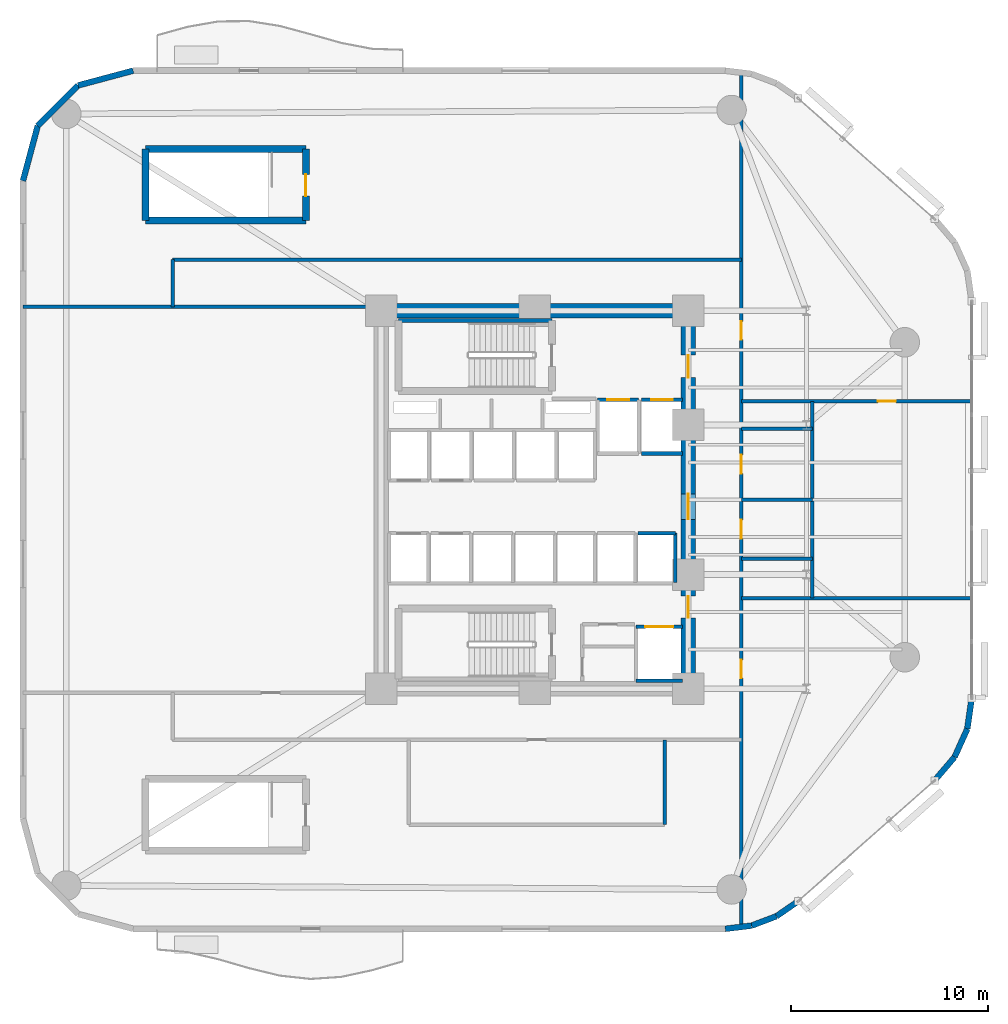
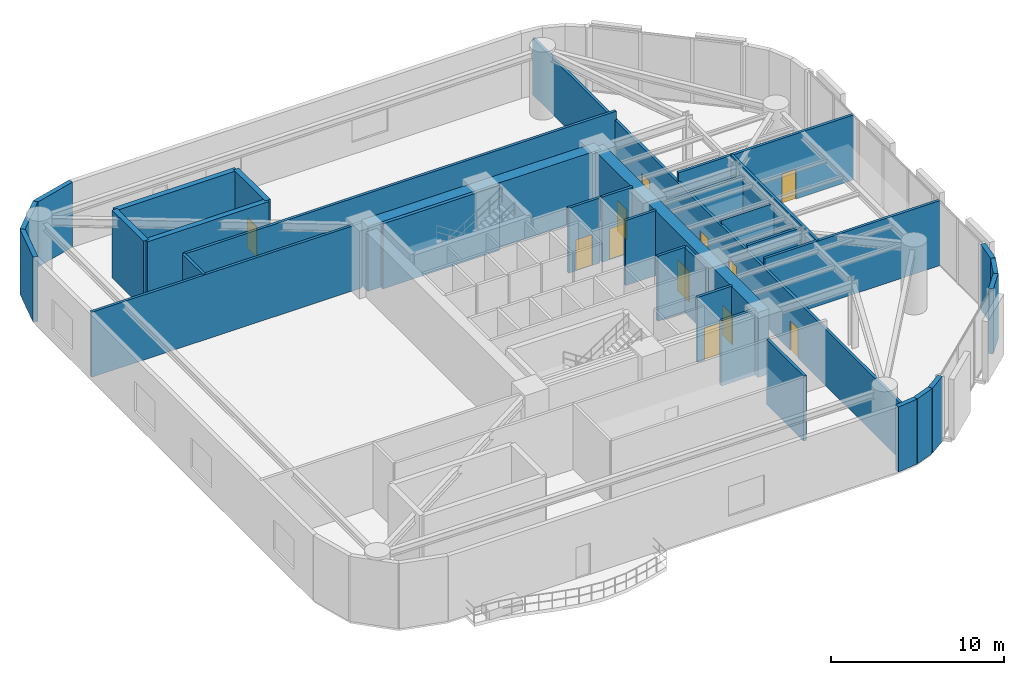
# One storey, part 10 of 13: 34 walls, 12 doors, 12 openings.
"""IFC4 building model written with IfcOpenShell, lengths in metres."""

from ifc_helpers import new_model, si_unit, direction, frame, frame_2d, origin, place, context, subcontext, project, spatial, rectangle, extrude, material, layer, layer_set, type_object, element, fill, save


model = new_model("IFC4")

# Units and contexts
model_context = context("Model", 3, precision=1e-05, world=origin(), true_north=direction((0.0, 1.0)))
body_context = subcontext(model_context, "Body", "Model", "MODEL_VIEW")
ifc_project = project(units=[si_unit("LENGTHUNIT", "METRE"), si_unit("AREAUNIT", "SQUARE_METRE"), si_unit("VOLUMEUNIT", "CUBIC_METRE"), si_unit("PLANEANGLEUNIT", "RADIAN"), si_unit("MASSUNIT", "GRAM", prefix="KILO")], contexts=[model_context])

# Site, building, storey
site_placement = place(None, origin())
site = spatial("IfcSite", under=ifc_project, at=site_placement, CompositionType="ELEMENT")
building_placement = place(site_placement, origin())
building = spatial("IfcBuilding", under=site, at=building_placement, Name="An Khanh Terracotta Commons", CompositionType="ELEMENT")
storey_placement = place(building_placement, frame((0.0, 0.0, 24.0)))
storey = spatial("IfcBuildingStorey", under=building, at=storey_placement, Name="L06", CompositionType="ELEMENT", Elevation=24.0)

# Wall
ifc_material_1 = material(Name="Concrete C70/85", Category="concrete")
ifc_layer_1 = layer(ifc_material_1, 0.75, Name="Concrete C70/85")
ifc_layer_set_1 = layer_set([ifc_layer_1], Name="Concrete C70/85")
wall_type_1 = type_object("IfcWallType", Name="WALL-CORE-750", PredefinedType="SHEAR", material=ifc_layer_set_1)
wall_1_placement = place(storey_placement, frame((21.60009765625, 33.60009765625, 0.0), z_axis=(0.0, 0.0, 1.0), x_axis=(1.0, 0.0, 0.0)))
element("IfcWall", 1, at=wall_1_placement, inside=storey, type_object=wall_type_1, Name="L06 Core Wall CWALL-L06-N", PredefinedType="SHEAR", context=body_context, shape_type="SweptSolid", body=[
    extrude(rectangle(XDim=15.599853515625, YDim=0.75, at=frame_2d((7.7998046875, 0.0))), origin(), (0.0, 0.0, 1.0), 4.60009765625),
])

# Wall, openings, doors
wall_2_placement = place(storey_placement, frame((37.199951171875, 14.39990234375, 0.0), z_axis=(0.0, 0.0, 1.0), x_axis=(0.0, 1.0, 0.0)))
wall_2 = element("IfcWall", 2, at=wall_2_placement, inside=storey, type_object=wall_type_1, Name="L06 Core Wall CWALL-L06-E", PredefinedType="SHEAR", context=body_context, shape_type="SweptSolid", body=[
    extrude(rectangle(XDim=19.2001953125, YDim=0.75, at=frame_2d((9.60009765625, 0.0))), origin(), (0.0, 0.0, 1.0), 4.60009765625),
])
opening_1_placement = place(wall_2_placement, frame((15.800048828125, 0.0, 0.0)))
opening_1 = element("IfcOpeningElement", 3, at=opening_1_placement, cuts=wall_2, Name="Opening D-FFL", PredefinedType="OPENING", context=body_context, shape_type="SweptSolid", body=[
    extrude(rectangle(XDim=1.14990234375, YDim=2.14990234375, at=frame_2d((0.574951171875, 1.074951171875))), frame((0.0, 0.385009765625, 0.0), z_axis=(0.0, -1.0, 0.0), x_axis=(1.0, 0.0, 0.0)), (0.0, 0.0, 1.0), 0.77001953125),
])
opening_2_placement = place(wall_2_placement, frame((3.60009765625, 0.0, 0.0)))
opening_2 = element("IfcOpeningElement", 4, at=opening_2_placement, cuts=wall_2, Name="Opening D-ST", PredefinedType="OPENING", context=body_context, shape_type="SweptSolid", body=[
    extrude(rectangle(XDim=1.10009765625, YDim=2.14990234375, at=frame_2d((0.550048828125, 1.074951171875))), frame((0.0, 0.385009765625, 0.0), z_axis=(0.0, -1.0, 0.0), x_axis=(1.0, 0.0, 0.0)), (0.0, 0.0, 1.0), 0.77001953125),
])
opening_3_placement = place(wall_2_placement, frame((8.60009765625, 0.0, 0.0)))
opening_3 = element("IfcOpeningElement", 5, at=opening_3_placement, cuts=wall_2, Name="Opening D-COR", PredefinedType="OPENING", context=body_context, shape_type="SweptSolid", body=[
    extrude(rectangle(XDim=1.300048828125, YDim=2.199951171875, at=frame_2d((0.64990234375, 1.10009765625))), frame((0.0, 0.385009765625, 0.0), z_axis=(0.0, -1.0, 0.0), x_axis=(1.0, 0.0, 0.0)), (0.0, 0.0, 1.0), 0.77001953125),
])
ifc_material_2 = material(Name="Fire-Rated Glazed Steel Double Door", Category="steel")
door_type_1 = type_object("IfcDoorType", Name="DOOR-CORR-1300", OperationType="NOTDEFINED", PredefinedType="DOOR", material=ifc_material_2)
door_1_placement = place(opening_3_placement, origin())
door_1 = element("IfcDoor", 6, at=door_1_placement, inside=storey, type_object=door_type_1, Name="L06 Passenger Lift Lobby Double Door", OperationType="DOUBLE_DOOR_SINGLE_SWING", OverallHeight=2.199951171875, OverallWidth=1.300048828125, PredefinedType="DOOR", context=body_context, shape_type="SweptSolid", body=[
    extrude(rectangle(XDim=1.300048828125, YDim=2.199951171875, at=frame_2d((0.64990234375, 1.10009765625))), frame((0.0, 0.02490234375, 0.0), z_axis=(0.0, -1.0, 0.0), x_axis=(1.0, 0.0, 0.0)), (0.0, 0.0, 1.0), 0.050048828125),
])
fill(opening_3, door_1)
ifc_material_3 = material(Name="Fire-Rated Steel Leaf and Vision Panel", Category="steel")
door_type_2 = type_object("IfcDoorType", Name="DOOR-FFL-1150", OperationType="NOTDEFINED", PredefinedType="DOOR", material=ifc_material_3)
door_2_placement = place(opening_1_placement, origin())
door_2 = element("IfcDoor", 7, at=door_2_placement, inside=storey, type_object=door_type_2, Name="L06 Firefighting Lift Lobby Fire Door", OperationType="SINGLE_SWING_LEFT", OverallHeight=2.14990234375, OverallWidth=1.14990234375, PredefinedType="DOOR", context=body_context, shape_type="SweptSolid", body=[
    extrude(rectangle(XDim=1.14990234375, YDim=2.14990234375, at=frame_2d((0.574951171875, 1.074951171875))), frame((0.0, 0.02490234375, 0.0), z_axis=(0.0, -1.0, 0.0), x_axis=(1.0, 0.0, 0.0)), (0.0, 0.0, 1.0), 0.050048828125),
])
fill(opening_1, door_2)
ifc_material_4 = material(Name="Fire-Rated Steel Leaf and Frame", Category="steel")
door_type_3 = type_object("IfcDoorType", Name="DOOR-STAIR-1100", OperationType="NOTDEFINED", PredefinedType="DOOR", material=ifc_material_4)
door_3_placement = place(opening_2_placement, origin())
door_3 = element("IfcDoor", 8, at=door_3_placement, inside=storey, type_object=door_type_3, Name="L06 South Stair Lobby Fire Door", OperationType="SINGLE_SWING_RIGHT", OverallHeight=2.14990234375, OverallWidth=1.10009765625, PredefinedType="DOOR", context=body_context, shape_type="SweptSolid", body=[
    extrude(rectangle(XDim=1.10009765625, YDim=2.14990234375, at=frame_2d((0.550048828125, 1.074951171875))), frame((0.0, 0.02490234375, 0.0), z_axis=(0.0, -1.0, 0.0), x_axis=(1.0, 0.0, 0.0)), (0.0, 0.0, 1.0), 0.050048828125),
])
fill(opening_2, door_3)

# Wall, opening, door
ifc_material_5 = material(Name="Fire-Rated Gypsum Board on Steel Stud", Category="steel")
ifc_layer_2 = layer(ifc_material_5, 0.179931640625, Name="Fire-Rated Gypsum Board on Steel Stud")
ifc_layer_set_2 = layer_set([ifc_layer_2], Name="Fire-Rated Gypsum Board on Steel Stud")
wall_type_2 = type_object("IfcWallType", Name="WALL-CORR-180", PredefinedType="PARTITIONING", material=ifc_layer_set_2)
wall_3_placement = place(storey_placement, frame((32.60009765625, 29.080078125, 0.0), z_axis=(0.0, 0.0, 1.0), x_axis=(1.0, 0.0, 0.0)))
wall_3 = element("IfcWall", 9, at=wall_3_placement, inside=storey, type_object=wall_type_2, Name="L06 Core Wall LSH-L06-FFL-01-N", PredefinedType="PARTITIONING", context=body_context, shape_type="SweptSolid", body=[
    extrude(rectangle(XDim=2.079833984375, YDim=0.179931640625, at=frame_2d((1.0400390625, 0.0))), origin(), (0.0, 0.0, 1.0), 4.60009765625),
])
opening_4_placement = place(wall_3_placement, frame((0.489990234375, 0.0, 0.0)))
opening_4 = element("IfcOpeningElement", 10, at=opening_4_placement, cuts=wall_3, Name="Opening LD-FFL-01-L06", PredefinedType="OPENING", context=body_context, shape_type="SweptSolid", body=[
    extrude(rectangle(XDim=1.10009765625, YDim=2.199951171875, at=frame_2d((0.550048828125, 1.10009765625))), frame((0.0, 0.099853515625, 0.0), z_axis=(0.0, -1.0, 0.0), x_axis=(1.0, 0.0, 0.0)), (0.0, 0.0, 1.0), 0.199951171875),
])
ifc_material_6 = material(Name="Brushed Stainless Steel Fire Landing Door", Category="steel")
door_type_4 = type_object("IfcDoorType", Name="DOOR-LD-FFL-1100", OperationType="NOTDEFINED", PredefinedType="DOOR", material=ifc_material_6)
door_4_placement = place(opening_4_placement, origin())
door_4 = element("IfcDoor", 11, at=door_4_placement, inside=storey, type_object=door_type_4, Name="L06 Lift FFL-01 Sliding Landing Door", OperationType="DOUBLE_DOOR_SLIDING", OverallHeight=2.199951171875, OverallWidth=1.10009765625, PredefinedType="DOOR", context=body_context, shape_type="SweptSolid", body=[
    extrude(rectangle(XDim=1.10009765625, YDim=2.199951171875, at=frame_2d((0.550048828125, 1.10009765625))), frame((0.0, 0.02490234375, 0.0), z_axis=(0.0, -1.0, 0.0), x_axis=(1.0, 0.0, 0.0)), (0.0, 0.0, 1.0), 0.050048828125),
])
fill(opening_4, door_4)

wall_4_placement = place(storey_placement, frame((34.820068359375, 29.080078125, 0.0), z_axis=(0.0, 0.0, 1.0), x_axis=(1.0, 0.0, 0.0)))
wall_4 = element("IfcWall", 12, at=wall_4_placement, inside=storey, type_object=wall_type_2, Name="L06 Core Wall LSH-L06-FFL-02-N", PredefinedType="PARTITIONING", context=body_context, shape_type="SweptSolid", body=[
    extrude(rectangle(XDim=2.079833984375, YDim=0.179931640625, at=frame_2d((1.0400390625, 0.0))), origin(), (0.0, 0.0, 1.0), 4.60009765625),
])
opening_5_placement = place(wall_4_placement, frame((0.489990234375, 0.0, 0.0)))
opening_5 = element("IfcOpeningElement", 13, at=opening_5_placement, cuts=wall_4, Name="Opening LD-FFL-02-L06", PredefinedType="OPENING", context=body_context, shape_type="SweptSolid", body=[
    extrude(rectangle(XDim=1.10009765625, YDim=2.199951171875, at=frame_2d((0.550048828125, 1.10009765625))), frame((0.0, 0.099853515625, 0.0), z_axis=(0.0, -1.0, 0.0), x_axis=(1.0, 0.0, 0.0)), (0.0, 0.0, 1.0), 0.199951171875),
])
door_5_placement = place(opening_5_placement, origin())
door_5 = element("IfcDoor", 14, at=door_5_placement, inside=storey, type_object=door_type_4, Name="L06 Lift FFL-02 Sliding Landing Door", OperationType="DOUBLE_DOOR_SLIDING", OverallHeight=2.199951171875, OverallWidth=1.10009765625, PredefinedType="DOOR", context=body_context, shape_type="SweptSolid", body=[
    extrude(rectangle(XDim=1.10009765625, YDim=2.199951171875, at=frame_2d((0.550048828125, 1.10009765625))), frame((0.0, 0.02490234375, 0.0), z_axis=(0.0, -1.0, 0.0), x_axis=(1.0, 0.0, 0.0)), (0.0, 0.0, 1.0), 0.050048828125),
])
fill(opening_5, door_5)

# Wall
wall_5_placement = place(storey_placement, frame((36.89990234375, 26.35009765625, 0.0), z_axis=(0.0, 0.0, 1.0), x_axis=(-1.0, 0.0, 0.0)))
element("IfcWall", 15, at=wall_5_placement, inside=storey, type_object=wall_type_2, Name="L06 Core Wall LSH-L06-FFL-02-S", PredefinedType="PARTITIONING", context=body_context, shape_type="SweptSolid", body=[
    extrude(rectangle(XDim=2.079833984375, YDim=0.179931640625, at=frame_2d((1.0400390625, 0.0))), origin(), (0.0, 0.0, 1.0), 4.60009765625),
])

# Wall, opening, door
wall_6_placement = place(storey_placement, frame((34.550048828125, 17.550048828125, 0.0), z_axis=(0.0, 0.0, 1.0), x_axis=(1.0, 0.0, 0.0)))
wall_6 = element("IfcWall", 16, at=wall_6_placement, inside=storey, type_object=wall_type_2, Name="L06 Core Wall LSH-L06-SVL-01-N", PredefinedType="PARTITIONING", context=body_context, shape_type="SweptSolid", body=[
    extrude(rectangle(XDim=2.349853515625, YDim=0.179931640625, at=frame_2d((1.1748046875, 0.0))), origin(), (0.0, 0.0, 1.0), 4.60009765625),
])
opening_6_placement = place(wall_6_placement, frame((0.47509765625, 0.0, 0.0)))
opening_6 = element("IfcOpeningElement", 17, at=opening_6_placement, cuts=wall_6, Name="Opening LD-SVL-01-L06", PredefinedType="OPENING", context=body_context, shape_type="SweptSolid", body=[
    extrude(rectangle(XDim=1.39990234375, YDim=2.300048828125, at=frame_2d((0.699951171875, 1.14990234375))), frame((0.0, 0.099853515625, 0.0), z_axis=(0.0, -1.0, 0.0), x_axis=(1.0, 0.0, 0.0)), (0.0, 0.0, 1.0), 0.199951171875),
])
ifc_material_7 = material(Name="Heavy-Duty Stainless Steel Goods Landing Door", Category="steel")
door_type_5 = type_object("IfcDoorType", Name="DOOR-LD-SVL-1400", OperationType="NOTDEFINED", PredefinedType="DOOR", material=ifc_material_7)
door_6_placement = place(opening_6_placement, origin())
door_6 = element("IfcDoor", 18, at=door_6_placement, inside=storey, type_object=door_type_5, Name="L06 Lift SVL-01 Sliding Landing Door", OperationType="DOUBLE_DOOR_SLIDING", OverallHeight=2.300048828125, OverallWidth=1.39990234375, PredefinedType="DOOR", context=body_context, shape_type="SweptSolid", body=[
    extrude(rectangle(XDim=1.39990234375, YDim=2.300048828125, at=frame_2d((0.699951171875, 1.14990234375))), frame((0.0, 0.02490234375, 0.0), z_axis=(0.0, -1.0, 0.0), x_axis=(1.0, 0.0, 0.0)), (0.0, 0.0, 1.0), 0.050048828125),
])
fill(opening_6, door_6)

# Walls
wall_7_placement = place(storey_placement, frame((36.89990234375, 14.800048828125, 0.0), z_axis=(0.0, 0.0, 1.0), x_axis=(-1.0, 0.0, 0.0)))
element("IfcWall", 19, at=wall_7_placement, inside=storey, type_object=wall_type_2, Name="L06 Core Wall LSH-L06-SVL-01-S", PredefinedType="PARTITIONING", context=body_context, shape_type="SweptSolid", body=[
    extrude(rectangle(XDim=2.349853515625, YDim=0.179931640625, at=frame_2d((1.1748046875, 0.0))), origin(), (0.0, 0.0, 1.0), 4.60009765625),
])
wall_8_placement = place(storey_placement, frame((34.639892578125, 22.300048828125, 0.0), z_axis=(0.0, 0.0, 1.0), x_axis=(1.0, 0.0, 0.0)))
element("IfcWall", 20, at=wall_8_placement, inside=storey, type_object=wall_type_2, Name="L06 Core Wall LSH-L06-PL-H4-N", PredefinedType="PARTITIONING", context=body_context, shape_type="SweptSolid", body=[
    extrude(rectangle(XDim=1.900146484375, YDim=0.179931640625, at=frame_2d((0.9501953125, 0.0))), origin(), (0.0, 0.0, 1.0), 4.60009765625),
])
wall_9_placement = place(storey_placement, frame((36.5400390625, 19.800048828125, 0.0), z_axis=(0.0, 0.0, 1.0), x_axis=(0.0, 1.0, 0.0)))
element("IfcWall", 21, at=wall_9_placement, inside=storey, type_object=wall_type_2, Name="L06 Core Wall LSH-L06-PL-H4-E", PredefinedType="PARTITIONING", context=body_context, shape_type="SweptSolid", body=[
    extrude(rectangle(XDim=2.5, YDim=0.179931640625, at=frame_2d((1.25, 0.0))), origin(), (0.0, 0.0, 1.0), 4.60009765625),
])
wall_10_placement = place(storey_placement, frame((39.89990234375, 19.0, 0.0), z_axis=(0.0, 0.0, 1.0), x_axis=(1.0, 0.0, 0.0)))
element("IfcWall", 22, at=wall_10_placement, inside=storey, type_object=wall_type_2, Name="L06 Interior Partition IW-L06-E004", PredefinedType="PARTITIONING", context=body_context, shape_type="SweptSolid", body=[
    extrude(rectangle(XDim=11.7001953125, YDim=0.179931640625, at=frame_2d((5.85009765625, 0.0))), origin(), (0.0, 0.0, 1.0), 4.60009765625),
])
wall_11_placement = place(storey_placement, frame((39.89990234375, 21.0, 0.0), z_axis=(0.0, 0.0, 1.0), x_axis=(1.0, 0.0, 0.0)))
element("IfcWall", 23, at=wall_11_placement, inside=storey, type_object=wall_type_2, Name="L06 Interior Partition IW-L06-E005", PredefinedType="PARTITIONING", context=body_context, shape_type="SweptSolid", body=[
    extrude(rectangle(XDim=3.60009765625, YDim=0.179931640625, at=frame_2d((1.800048828125, 0.0))), origin(), (0.0, 0.0, 1.0), 4.31201171875),
])
wall_12_placement = place(storey_placement, frame((39.89990234375, 24.0, 0.0), z_axis=(0.0, 0.0, 1.0), x_axis=(1.0, 0.0, 0.0)))
element("IfcWall", 24, at=wall_12_placement, inside=storey, type_object=wall_type_2, Name="L06 Interior Partition IW-L06-E006", PredefinedType="PARTITIONING", context=body_context, shape_type="SweptSolid", body=[
    extrude(rectangle(XDim=3.60009765625, YDim=0.179931640625, at=frame_2d((1.800048828125, 0.0))), origin(), (0.0, 0.0, 1.0), 4.251953125),
])
wall_13_placement = place(storey_placement, frame((39.89990234375, 27.60009765625, 0.0), z_axis=(0.0, 0.0, 1.0), x_axis=(1.0, 0.0, 0.0)))
element("IfcWall", 25, at=wall_13_placement, inside=storey, type_object=wall_type_2, Name="L06 Interior Partition IW-L06-E007", PredefinedType="PARTITIONING", context=body_context, shape_type="SweptSolid", body=[
    extrude(rectangle(XDim=3.60009765625, YDim=0.179931640625, at=frame_2d((1.800048828125, 0.0))), origin(), (0.0, 0.0, 1.0), 3.98193359375),
])

# Wall, opening, door
wall_14_placement = place(storey_placement, frame((39.89990234375, 29.0, 0.0), z_axis=(0.0, 0.0, 1.0), x_axis=(1.0, 0.0, 0.0)))
wall_14 = element("IfcWall", 26, at=wall_14_placement, inside=storey, type_object=wall_type_2, Name="L06 Interior Partition IW-L06-E008", PredefinedType="PARTITIONING", context=body_context, shape_type="SweptSolid", body=[
    extrude(rectangle(XDim=11.7001953125, YDim=0.179931640625, at=frame_2d((5.85009765625, 0.0))), origin(), (0.0, 0.0, 1.0), 4.60009765625),
])
opening_7_placement = place(wall_14_placement, frame((6.929931640625, 0.0, 0.0)))
opening_7 = element("IfcOpeningElement", 27, at=opening_7_placement, cuts=wall_14, Name="Opening D-RM", PredefinedType="OPENING", context=body_context, shape_type="SweptSolid", body=[
    extrude(rectangle(XDim=0.919921875, YDim=2.10009765625, at=frame_2d((0.4599609375, 1.050048828125))), frame((0.0, 0.099853515625, 0.0), z_axis=(0.0, -1.0, 0.0), x_axis=(1.0, 0.0, 0.0)), (0.0, 0.0, 1.0), 0.199951171875),
])
ifc_material_8 = material(Name="Engineered Hardwood Timber Leaf", Category="wood")
door_type_6 = type_object("IfcDoorType", Name="DOOR-INT-920", OperationType="NOTDEFINED", PredefinedType="DOOR", material=ifc_material_8)
door_7_placement = place(opening_7_placement, origin())
door_7 = element("IfcDoor", 28, at=door_7_placement, inside=storey, type_object=door_type_6, Name="L06 SKIT Z1 Culinary Commons Kitchen Door", OperationType="SINGLE_SWING_LEFT", OverallHeight=2.10009765625, OverallWidth=0.919921875, PredefinedType="DOOR", context=body_context, shape_type="SweptSolid", body=[
    extrude(rectangle(XDim=0.919921875, YDim=2.10009765625, at=frame_2d((0.4599609375, 1.050048828125))), frame((0.0, 0.02490234375, 0.0), z_axis=(0.0, -1.0, 0.0), x_axis=(1.0, 0.0, 0.0)), (0.0, 0.0, 1.0), 0.050048828125),
])
fill(opening_7, door_7)

# Walls
wall_15_placement = place(storey_placement, frame((3.39990234375, 33.800048828125, 0.0), z_axis=(0.0, 0.0, 1.0), x_axis=(1.0, 0.0, 0.0)))
element("IfcWall", 29, at=wall_15_placement, inside=storey, type_object=wall_type_2, Name="L06 Interior Partition IW-L06-E009", PredefinedType="PARTITIONING", context=body_context, shape_type="SweptSolid", body=[
    extrude(rectangle(XDim=18.10009765625, YDim=0.179931640625, at=frame_2d((9.050048828125, 0.0))), origin(), (0.0, 0.0, 1.0), 4.60009765625),
])
wall_16_placement = place(storey_placement, frame((11.0, 36.199951171875, 0.0), z_axis=(0.0, 0.0, 1.0), x_axis=(1.0, 0.0, 0.0)))
element("IfcWall", 30, at=wall_16_placement, inside=storey, type_object=wall_type_2, Name="L06 Interior Partition IW-L06-E010", PredefinedType="PARTITIONING", context=body_context, shape_type="SweptSolid", body=[
    extrude(rectangle(XDim=28.89990234375, YDim=0.179931640625, at=frame_2d((14.449951171875, 0.0))), origin(), (0.0, 0.0, 1.0), 4.60009765625),
])
wall_17_placement = place(storey_placement, frame((11.0, 33.800048828125, 0.0), z_axis=(0.0, 0.0, 1.0), x_axis=(0.0, 1.0, 0.0)))
element("IfcWall", 31, at=wall_17_placement, inside=storey, type_object=wall_type_2, Name="L06 Interior Partition IW-L06-E012", PredefinedType="PARTITIONING", context=body_context, shape_type="SweptSolid", body=[
    extrude(rectangle(XDim=2.39990234375, YDim=0.179931640625, at=frame_2d((1.199951171875, 0.0))), origin(), (0.0, 0.0, 1.0), 4.60009765625),
])
wall_18_placement = place(storey_placement, frame((36.0, 7.5, 0.0), z_axis=(0.0, 0.0, 1.0), x_axis=(0.0, 1.0, 0.0)))
element("IfcWall", 32, at=wall_18_placement, inside=storey, type_object=wall_type_2, Name="L06 Interior Partition IW-L06-E014", PredefinedType="PARTITIONING", context=body_context, shape_type="SweptSolid", body=[
    extrude(rectangle(XDim=4.300048828125, YDim=0.179931640625, at=frame_2d((2.14990234375, 0.0))), origin(), (0.0, 0.0, 1.0), 4.60009765625),
])

# Wall, openings, doors
wall_19_placement = place(storey_placement, frame((39.89990234375, 2.299072265625, 0.0), z_axis=(0.0, 0.0, 1.0), x_axis=(0.0, 1.0, 0.0)))
wall_19 = element("IfcWall", 33, at=wall_19_placement, inside=storey, type_object=wall_type_2, Name="L06 Interior Partition IW-L06-E015", PredefinedType="PARTITIONING", context=body_context, shape_type="SweptSolid", body=[
    extrude(rectangle(XDim=43.40185546875, YDim=0.179931640625, at=frame_2d((21.700927734375, 0.0))), origin(), (0.0, 0.0, 1.0), 3.98193359375),
])
opening_8_placement = place(wall_19_placement, frame((19.72607421875, 0.0, 0.0)))
opening_8 = element("IfcOpeningElement", 34, at=opening_8_placement, cuts=wall_19, Name="Opening D-LWC", PredefinedType="OPENING", context=body_context, shape_type="SweptSolid", body=[
    extrude(rectangle(XDim=0.949951171875, YDim=2.14990234375, at=frame_2d((0.47509765625, 1.074951171875))), frame((0.0, 0.099853515625, 0.0), z_axis=(0.0, -1.0, 0.0), x_axis=(1.0, 0.0, 0.0)), (0.0, 0.0, 1.0), 0.199951171875),
])
opening_9_placement = place(wall_19_placement, frame((23.02587890625, 0.0, 0.0)))
opening_9 = element("IfcOpeningElement", 35, at=opening_9_placement, cuts=wall_19, Name="Opening D-LWC", PredefinedType="OPENING", context=body_context, shape_type="SweptSolid", body=[
    extrude(rectangle(XDim=0.949951171875, YDim=2.14990234375, at=frame_2d((0.47509765625, 1.074951171875))), frame((0.0, 0.099853515625, 0.0), z_axis=(0.0, -1.0, 0.0), x_axis=(1.0, 0.0, 0.0)), (0.0, 0.0, 1.0), 0.199951171875),
])
opening_10_placement = place(wall_19_placement, frame((29.841064453125, 0.0, 0.0)))
opening_10 = element("IfcOpeningElement", 36, at=opening_10_placement, cuts=wall_19, Name="Opening D-RM", PredefinedType="OPENING", context=body_context, shape_type="SweptSolid", body=[
    extrude(rectangle(XDim=0.919921875, YDim=2.10009765625, at=frame_2d((0.4599609375, 1.050048828125))), frame((0.0, 0.099853515625, 0.0), z_axis=(0.0, -1.0, 0.0), x_axis=(1.0, 0.0, 0.0)), (0.0, 0.0, 1.0), 0.199951171875),
])
opening_11_placement = place(wall_19_placement, frame((12.64111328125, 0.0, 0.0)))
opening_11 = element("IfcOpeningElement", 37, at=opening_11_placement, cuts=wall_19, Name="Opening D-RM", PredefinedType="OPENING", context=body_context, shape_type="SweptSolid", body=[
    extrude(rectangle(XDim=0.919921875, YDim=2.10009765625, at=frame_2d((0.4599609375, 1.050048828125))), frame((0.0, 0.099853515625, 0.0), z_axis=(0.0, -1.0, 0.0), x_axis=(1.0, 0.0, 0.0)), (0.0, 0.0, 1.0), 0.199951171875),
])
door_8_placement = place(opening_10_placement, origin())
door_8 = element("IfcDoor", 38, at=door_8_placement, inside=storey, type_object=door_type_6, Name="L06 SLNG Podium Roof Study Lounge Door", OperationType="SINGLE_SWING_RIGHT", OverallHeight=2.10009765625, OverallWidth=0.919921875, PredefinedType="DOOR", context=body_context, shape_type="SweptSolid", body=[
    extrude(rectangle(XDim=0.919921875, YDim=2.10009765625, at=frame_2d((0.4599609375, 1.050048828125))), frame((0.0, 0.02490234375, 0.0), z_axis=(0.0, -1.0, 0.0), x_axis=(1.0, 0.0, 0.0)), (0.0, 0.0, 1.0), 0.050048828125),
])
fill(opening_10, door_8)
door_9_placement = place(opening_11_placement, origin())
door_9 = element("IfcDoor", 39, at=door_9_placement, inside=storey, type_object=door_type_6, Name="L06 SSEM Student Music and Media Room Door", OperationType="SINGLE_SWING_LEFT", OverallHeight=2.10009765625, OverallWidth=0.919921875, PredefinedType="DOOR", context=body_context, shape_type="SweptSolid", body=[
    extrude(rectangle(XDim=0.919921875, YDim=2.10009765625, at=frame_2d((0.4599609375, 1.050048828125))), frame((0.0, 0.02490234375, 0.0), z_axis=(0.0, -1.0, 0.0), x_axis=(1.0, 0.0, 0.0)), (0.0, 0.0, 1.0), 0.050048828125),
])
fill(opening_11, door_9)
ifc_material_9 = material(Name="Fire-Rated Moisture-Resistant Laminate Timber Leaf", Category="wood")
door_type_7 = type_object("IfcDoorType", Name="DOOR-LOBWC-950", OperationType="NOTDEFINED", PredefinedType="DOOR", material=ifc_material_9)
door_10_placement = place(opening_8_placement, origin())
door_10 = element("IfcDoor", 40, at=door_10_placement, inside=storey, type_object=door_type_7, Name="L06 AWC Sky Lobby Accessible WC Door", OperationType="SINGLE_SWING_LEFT", OverallHeight=2.14990234375, OverallWidth=0.949951171875, PredefinedType="DOOR", context=body_context, shape_type="SweptSolid", body=[
    extrude(rectangle(XDim=0.949951171875, YDim=2.14990234375, at=frame_2d((0.47509765625, 1.074951171875))), frame((0.0, 0.02490234375, 0.0), z_axis=(0.0, -1.0, 0.0), x_axis=(1.0, 0.0, 0.0)), (0.0, 0.0, 1.0), 0.050048828125),
])
fill(opening_8, door_10)
door_11_placement = place(opening_9_placement, origin())
door_11 = element("IfcDoor", 41, at=door_11_placement, inside=storey, type_object=door_type_7, Name="L06 WCB Sky Lobby Public Restrooms Door", OperationType="SINGLE_SWING_RIGHT", OverallHeight=2.14990234375, OverallWidth=0.949951171875, PredefinedType="DOOR", context=body_context, shape_type="SweptSolid", body=[
    extrude(rectangle(XDim=0.949951171875, YDim=2.14990234375, at=frame_2d((0.47509765625, 1.074951171875))), frame((0.0, 0.02490234375, 0.0), z_axis=(0.0, -1.0, 0.0), x_axis=(1.0, 0.0, 0.0)), (0.0, 0.0, 1.0), 0.050048828125),
])
fill(opening_9, door_11)

# Walls
wall_20_placement = place(storey_placement, frame((43.5, 19.0, 0.0), z_axis=(0.0, 0.0, 1.0), x_axis=(0.0, 1.0, 0.0)))
element("IfcWall", 42, at=wall_20_placement, inside=storey, type_object=wall_type_2, Name="L06 Interior Partition IW-L06-E016", PredefinedType="PARTITIONING", context=body_context, shape_type="SweptSolid", body=[
    extrude(rectangle(XDim=10.0, YDim=0.179931640625, at=frame_2d((5.0, 0.0))), origin(), (0.0, 0.0, 1.0), 4.60009765625),
])
ifc_material_10 = material(Name="Precast concrete C40/50", Category="concrete")
ifc_layer_3 = layer(ifc_material_10, 0.300048828125, Name="Precast concrete C40/50")
ifc_layer_set_3 = layer_set([ifc_layer_3], Name="Precast concrete C40/50")
wall_type_3 = type_object("IfcWallType", Name="WALL-EXT-300", PredefinedType="SOLIDWALL", material=ifc_layer_set_3)
wall_21_placement = place(storey_placement, frame((39.0791015625, 2.199951171875, 0.0), z_axis=(0.0, 0.0, 1.0), x_axis=(0.992739027259, 0.120288086515, 0.0)))
element("IfcWall", 43, at=wall_21_placement, inside=storey, type_object=wall_type_3, Name="L06 Insulated Terracotta Exterior Wall 5", PredefinedType="SOLIDWALL", context=body_context, shape_type="SweptSolid", body=[
    extrude(rectangle(XDim=1.34765625, YDim=0.300048828125, at=frame_2d((0.673828125, 0.0))), origin(), (0.0, 0.0, 1.0), 4.60009765625),
])
wall_22_placement = place(storey_placement, frame((40.4169921875, 2.362060546875, 0.0), z_axis=(0.0, 0.0, 1.0), x_axis=(0.935156721165, 0.354234254216, 0.0)))
element("IfcWall", 44, at=wall_22_placement, inside=storey, type_object=wall_type_3, Name="L06 Insulated Terracotta Exterior Wall 6", PredefinedType="SOLIDWALL", context=body_context, shape_type="SweptSolid", body=[
    extrude(rectangle(XDim=1.349365234375, YDim=0.300048828125, at=frame_2d((0.6748046875, 0.0))), origin(), (0.0, 0.0, 1.0), 4.60009765625),
])
wall_23_placement = place(storey_placement, frame((41.678955078125, 2.840087890625, 0.0), z_axis=(0.0, 0.0, 1.0), x_axis=(0.823116500192, 0.567872544777, 0.0)))
element("IfcWall", 45, at=wall_23_placement, inside=storey, type_object=wall_type_3, Name="L06 Insulated Terracotta Exterior Wall 7", PredefinedType="SOLIDWALL", context=body_context, shape_type="SweptSolid", body=[
    extrude(rectangle(XDim=1.3486328125, YDim=0.300048828125, at=frame_2d((0.67431640625, 0.0))), origin(), (0.0, 0.0, 1.0), 4.60009765625),
])
wall_24_placement = place(storey_placement, frame((49.7099609375, 9.72802734375, 0.0), z_axis=(0.0, 0.0, 1.0), x_axis=(0.648389989909, 0.7613083613, 0.0)))
element("IfcWall", 46, at=wall_24_placement, inside=storey, type_object=wall_type_3, Name="L06 Insulated Terracotta Exterior Wall 9", PredefinedType="SOLIDWALL", context=body_context, shape_type="SweptSolid", body=[
    extrude(rectangle(XDim=1.576171875, YDim=0.300048828125, at=frame_2d((0.7880859375, 0.0))), origin(), (0.0, 0.0, 1.0), 4.60009765625),
])
wall_25_placement = place(storey_placement, frame((50.73193359375, 10.927978515625, 0.0), z_axis=(0.0, 0.0, 1.0), x_axis=(0.410996558744, 0.911636895206, 0.0)))
element("IfcWall", 47, at=wall_25_placement, inside=storey, type_object=wall_type_3, Name="L06 Insulated Terracotta Exterior Wall 10", PredefinedType="SOLIDWALL", context=body_context, shape_type="SweptSolid", body=[
    extrude(rectangle(XDim=1.57421875, YDim=0.300048828125, at=frame_2d((0.787109375, 0.0))), origin(), (0.0, 0.0, 1.0), 4.60009765625),
])
wall_26_placement = place(storey_placement, frame((51.37890625, 12.363037109375, 0.0), z_axis=(0.0, 0.0, 1.0), x_axis=(0.140380048512, 0.990097693149, 0.0)))
element("IfcWall", 48, at=wall_26_placement, inside=storey, type_object=wall_type_3, Name="L06 Insulated Terracotta Exterior Wall 11", PredefinedType="SOLIDWALL", context=body_context, shape_type="SweptSolid", body=[
    extrude(rectangle(XDim=1.57568359375, YDim=0.300048828125, at=frame_2d((0.787841796875, 0.0))), origin(), (0.0, 0.0, 1.0), 4.60009765625),
])
wall_27_placement = place(storey_placement, frame((9.0, 45.800048828125, 0.0), z_axis=(0.0, 0.0, 1.0), x_axis=(-0.96594917914, -0.258731875344, 0.0)))
element("IfcWall", 49, at=wall_27_placement, inside=storey, type_object=wall_type_3, Name="L06 Insulated Terracotta Exterior Wall 21", PredefinedType="SOLIDWALL", context=body_context, shape_type="SweptSolid", body=[
    extrude(rectangle(XDim=2.898681640625, YDim=0.300048828125, at=frame_2d((1.44921875, 0.0))), origin(), (0.0, 0.0, 1.0), 4.60009765625),
])
wall_28_placement = place(storey_placement, frame((6.199951171875, 45.050048828125, 0.0), z_axis=(0.0, 0.0, 1.0), x_axis=(-0.707106781187, -0.707106781187, 0.0)))
element("IfcWall", 50, at=wall_28_placement, inside=storey, type_object=wall_type_3, Name="L06 Insulated Terracotta Exterior Wall 22", PredefinedType="SOLIDWALL", context=body_context, shape_type="SweptSolid", body=[
    extrude(rectangle(XDim=2.899169921875, YDim=0.300048828125, at=frame_2d((1.44970703125, 0.0))), origin(), (0.0, 0.0, 1.0), 4.60009765625),
])
wall_29_placement = place(storey_placement, frame((4.14990234375, 43.0, 0.0), z_axis=(0.0, 0.0, 1.0), x_axis=(-0.258731875344, -0.96594917914, 0.0)))
element("IfcWall", 51, at=wall_29_placement, inside=storey, type_object=wall_type_3, Name="L06 Insulated Terracotta Exterior Wall 23", PredefinedType="SOLIDWALL", context=body_context, shape_type="SweptSolid", body=[
    extrude(rectangle(XDim=2.898681640625, YDim=0.300048828125, at=frame_2d((1.44921875, 0.0))), origin(), (0.0, 0.0, 1.0), 4.60009765625),
])
ifc_material_11 = material(Name="Acoustic Double-Stud Gypsum and Mineral Wool")
ifc_layer_4 = layer(ifc_material_11, 0.219970703125, Name="Acoustic Double-Stud Gypsum and Mineral Wool")
ifc_layer_set_4 = layer_set([ifc_layer_4], Name="Acoustic Double-Stud Gypsum and Mineral Wool")
wall_type_4 = type_object("IfcWallType", Name="WALL-PARTY-220", PredefinedType="PARTITIONING", material=ifc_layer_set_4)
wall_30_placement = place(storey_placement, frame((22.47998046875, 33.110107421875, 0.0), z_axis=(0.0, 0.0, 1.0), x_axis=(1.0, 0.0, 0.0)))
element("IfcWall", 52, at=wall_30_placement, inside=storey, type_object=wall_type_4, Name="L06 Core Wall STW-L06-N-N", PredefinedType="PARTITIONING", context=body_context, shape_type="SweptSolid", body=[
    extrude(rectangle(XDim=7.7900390625, YDim=0.219970703125, at=frame_2d((3.89501953125, 0.0))), origin(), (0.0, 0.0, 1.0), 4.60009765625),
])
ifc_material_12 = material(Name="Concrete C50/60", Category="concrete")
ifc_layer_5 = layer(ifc_material_12, 0.35009765625, Name="Concrete C50/60")
ifc_layer_set_5 = layer_set([ifc_layer_5], Name="Concrete C50/60")
wall_type_5 = type_object("IfcWallType", Name="WALL-SHAFT-350", PredefinedType="SOLIDWALL", material=ifc_layer_set_5)
wall_31_placement = place(storey_placement, frame((9.6298828125, 38.179931640625, 0.0), z_axis=(0.0, 0.0, 1.0), x_axis=(0.0, 1.0, 0.0)))
element("IfcWall", 53, at=wall_31_placement, inside=storey, type_object=wall_type_5, Name="L06 Podium Stair ST-P2 W Wall", PredefinedType="SOLIDWALL", context=body_context, shape_type="SweptSolid", body=[
    extrude(rectangle(XDim=3.64013671875, YDim=0.35009765625, at=frame_2d((1.820068359375, 0.0))), origin(), (0.0, 0.0, 1.0), 4.800048828125),
])
for number, where, z_axis, x_axis, name in (
    (54, (9.6298828125, 41.820068359375, 0.0), (0.0, 0.0, 1.0), (1.0, 0.0, 0.0), "L06 Podium Stair ST-P2 N Wall"),
    (55, (17.77001953125, 38.179931640625, 0.0), (0.0, 0.0, 1.0), (-1.0, 0.0, 0.0), "L06 Podium Stair ST-P2 S Wall"),
):
    element("IfcWall", number, at=place(storey_placement, frame(where, z_axis=z_axis, x_axis=x_axis)), inside=storey, type_object=wall_type_5, Name=name, PredefinedType="SOLIDWALL", context=body_context, shape_type="SweptSolid", body=[
        extrude(rectangle(XDim=8.14013671875, YDim=0.35009765625, at=frame_2d((4.070068359375, 0.0))), origin(), (0.0, 0.0, 1.0), 4.800048828125),
    ])

# Wall, opening, door
wall_32_placement = place(storey_placement, frame((17.77001953125, 38.179931640625, 0.0), z_axis=(0.0, 0.0, 1.0), x_axis=(0.0, 1.0, 0.0)))
wall_32 = element("IfcWall", 56, at=wall_32_placement, inside=storey, type_object=wall_type_5, Name="L06 Podium Stair ST-P2 E Wall", PredefinedType="SOLIDWALL", context=body_context, shape_type="SweptSolid", body=[
    extrude(rectangle(XDim=3.64013671875, YDim=0.35009765625, at=frame_2d((1.820068359375, 0.0))), origin(), (0.0, 0.0, 1.0), 4.800048828125),
])
opening_12_placement = place(wall_32_placement, frame((1.25, 0.0, 0.0)))
opening_12 = element("IfcOpeningElement", 57, at=opening_12_placement, cuts=wall_32, Name="Opening D-ST", PredefinedType="OPENING", context=body_context, shape_type="SweptSolid", body=[
    extrude(rectangle(XDim=1.10009765625, YDim=2.14990234375, at=frame_2d((0.550048828125, 1.074951171875))), frame((0.0, 0.18505859375, 0.0), z_axis=(0.0, -1.0, 0.0), x_axis=(1.0, 0.0, 0.0)), (0.0, 0.0, 1.0), 0.3701171875),
])
door_12_placement = place(opening_12_placement, origin())
door_12 = element("IfcDoor", 58, at=door_12_placement, inside=storey, type_object=door_type_3, Name="L06 Podium Stair ST-P2 Fire Door", OperationType="SINGLE_SWING_RIGHT", OverallHeight=2.14990234375, OverallWidth=1.10009765625, PredefinedType="DOOR", context=body_context, shape_type="SweptSolid", body=[
    extrude(rectangle(XDim=1.10009765625, YDim=2.14990234375, at=frame_2d((0.550048828125, 1.074951171875))), frame((0.0, 0.02490234375, 0.0), z_axis=(0.0, -1.0, 0.0), x_axis=(1.0, 0.0, 0.0)), (0.0, 0.0, 1.0), 0.050048828125),
])
fill(opening_12, door_12)

save(model, "model.ifc")
